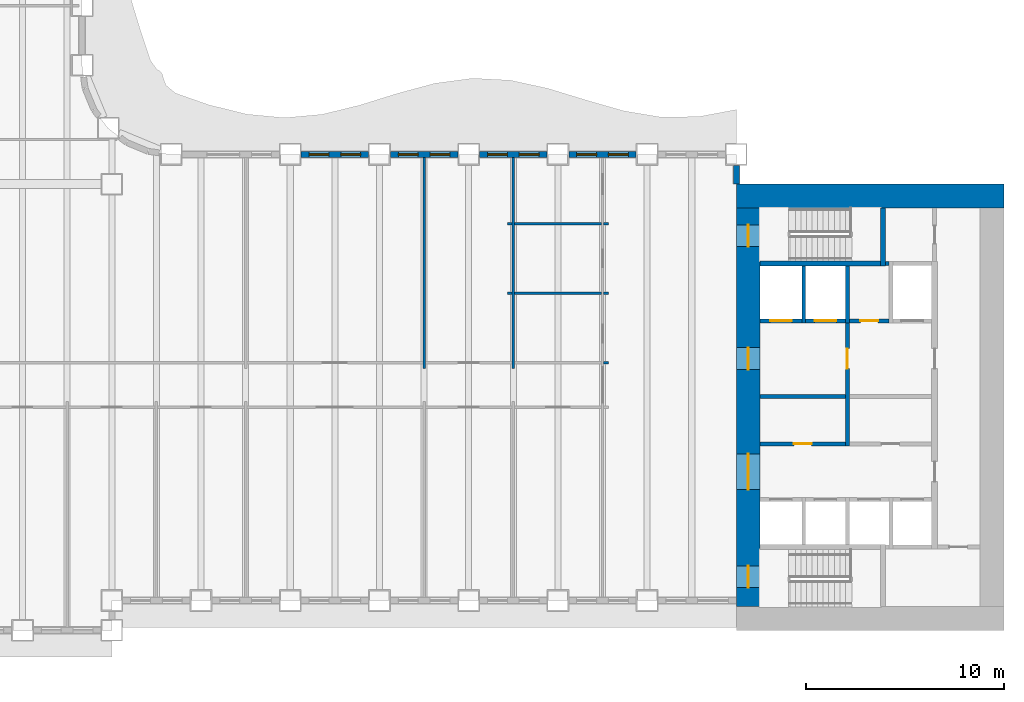
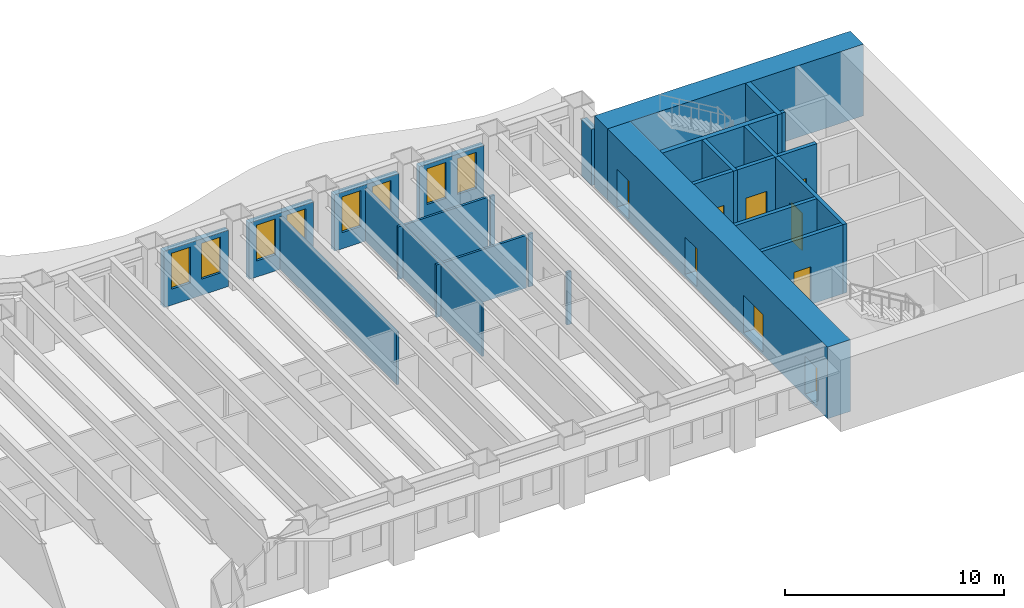
# One storey, part 6 of 15: 27 walls, 9 doors, 8 windows, 17 openings.
"""IFC4 building model written with IfcOpenShell, lengths in metres."""

from ifc_helpers import new_model, si_unit, direction, frame, frame_2d, origin, place, context, subcontext, project, spatial, rectangle, extrude, material, layer, layer_set, type_object, element, fill, save


model = new_model("IFC4")

# Units and contexts
model_context = context("Model", 3, precision=1e-05, world=origin(), true_north=direction((0.0, 1.0)))
body_context = subcontext(model_context, "Body", "Model", "MODEL_VIEW")
ifc_project = project(units=[si_unit("LENGTHUNIT", "METRE"), si_unit("AREAUNIT", "SQUARE_METRE"), si_unit("VOLUMEUNIT", "CUBIC_METRE"), si_unit("PLANEANGLEUNIT", "RADIAN"), si_unit("MASSUNIT", "GRAM", prefix="KILO")], contexts=[model_context])

# Site, building, storey
site_placement = place(None, origin())
site = spatial("IfcSite", under=ifc_project, at=site_placement, CompositionType="ELEMENT")
building_placement = place(site_placement, origin())
building = spatial("IfcBuilding", under=site, at=building_placement, Name="Sennacour Bend Tower", CompositionType="ELEMENT")
storey_placement = place(building_placement, frame((0.0, 0.0, 41.0)))
storey = spatial("IfcBuildingStorey", under=building, at=storey_placement, Name="L08", CompositionType="ELEMENT", Elevation=41.0)

# Wall
ifc_material_1 = material(Name="Concrete C80/95", Category="concrete")
ifc_layer_1 = layer(ifc_material_1, 1.199951171875, Name="Concrete C80/95", Category="concrete")
ifc_layer_set_1 = layer_set([ifc_layer_1], Name="Concrete C80/95")
wall_type_1 = type_object("IfcWallType", Name="Core wall 1200 C80/95", PredefinedType="SHEAR", material=ifc_layer_set_1)
wall_1_placement = place(storey_placement, frame((54.0, 21.89990234375, -0.14990234375), z_axis=(0.0, 0.0, 1.0), x_axis=(1.0, 0.0, 0.0)))
element("IfcWall", 1, at=wall_1_placement, inside=storey, type_object=wall_type_1, Name="Core A wall L08 N", PredefinedType="SHEAR", context=body_context, shape_type="SweptSolid", body=[
    extrude(rectangle(XDim=13.5, YDim=1.199951171875, at=frame_2d((6.75, 0.0))), origin(), (0.0, 0.0, 1.0), 4.0),
])

# Wall, openings, doors
wall_2_placement = place(storey_placement, frame((54.60009765625, 1.199951171875, -0.14990234375), z_axis=(0.0, 0.0, 1.0), x_axis=(0.0, 1.0, 0.0)))
wall_2 = element("IfcWall", 2, at=wall_2_placement, inside=storey, type_object=wall_type_1, Name="Core A wall L08 W", PredefinedType="SHEAR", context=body_context, shape_type="SweptSolid", body=[
    extrude(rectangle(XDim=20.10009765625, YDim=1.199951171875, at=frame_2d((10.050048828125, 0.0))), origin(), (0.0, 0.0, 1.0), 4.0),
])
opening_1_placement = place(wall_2_placement, frame((5.89990234375, 0.0, 0.14990234375)))
opening_1 = element("IfcOpeningElement", 3, at=opening_1_placement, cuts=wall_2, Name="Opening CD", PredefinedType="OPENING", context=body_context, shape_type="SweptSolid", body=[
    extrude(rectangle(XDim=1.800048828125, YDim=2.10009765625, at=frame_2d((0.89990234375, 1.050048828125))), frame((0.0, 0.60986328125, 0.0), z_axis=(0.0, -1.0, 0.0), x_axis=(1.0, 0.0, 0.0)), (0.0, 0.0, 1.0), 1.219970703125),
])
opening_2_placement = place(wall_2_placement, frame((11.949951171875, 0.0, 0.14990234375)))
opening_2 = element("IfcOpeningElement", 4, at=opening_2_placement, cuts=wall_2, Name="Opening FD", PredefinedType="OPENING", context=body_context, shape_type="SweptSolid", body=[
    extrude(rectangle(XDim=1.10009765625, YDim=2.10009765625, at=frame_2d((0.550048828125, 1.050048828125))), frame((0.0, 0.60986328125, 0.0), z_axis=(0.0, -1.0, 0.0), x_axis=(1.0, 0.0, 0.0)), (0.0, 0.0, 1.0), 1.219970703125),
])
opening_3_placement = place(wall_2_placement, frame((0.949951171875, 0.0, 0.14990234375)))
opening_3 = element("IfcOpeningElement", 5, at=opening_3_placement, cuts=wall_2, Name="Opening SD", PredefinedType="OPENING", context=body_context, shape_type="SweptSolid", body=[
    extrude(rectangle(XDim=1.10009765625, YDim=2.10009765625, at=frame_2d((0.550048828125, 1.050048828125))), frame((0.0, 0.60986328125, 0.0), z_axis=(0.0, -1.0, 0.0), x_axis=(1.0, 0.0, 0.0)), (0.0, 0.0, 1.0), 1.219970703125),
])
opening_4_placement = place(wall_2_placement, frame((18.14990234375, 0.0, 0.14990234375)))
opening_4 = element("IfcOpeningElement", 6, at=opening_4_placement, cuts=wall_2, Name="Opening SD", PredefinedType="OPENING", context=body_context, shape_type="SweptSolid", body=[
    extrude(rectangle(XDim=1.10009765625, YDim=2.10009765625, at=frame_2d((0.550048828125, 1.050048828125))), frame((0.0, 0.60986328125, 0.0), z_axis=(0.0, -1.0, 0.0), x_axis=(1.0, 0.0, 0.0)), (0.0, 0.0, 1.0), 1.219970703125),
])
ifc_material_2 = material(Name="Painted steel", Category="steel")
door_type_1 = type_object("IfcDoorType", Name="DR-FFL-1100", OperationType="NOTDEFINED", PredefinedType="DOOR", material=ifc_material_2)
door_1_placement = place(opening_2_placement, origin())
door_1 = element("IfcDoor", 7, at=door_1_placement, inside=storey, type_object=door_type_1, Name="Door", OperationType="SINGLE_SWING_RIGHT", OverallHeight=2.10009765625, OverallWidth=1.10009765625, PredefinedType="DOOR", context=body_context, shape_type="SweptSolid", body=[
    extrude(rectangle(XDim=1.10009765625, YDim=2.10009765625, at=frame_2d((0.550048828125, 1.050048828125))), frame((0.0, 0.02490234375, 0.0), z_axis=(0.0, -1.0, 0.0), x_axis=(1.0, 0.0, 0.0)), (0.0, 0.0, 1.0), 0.050048828125),
])
fill(opening_2, door_1)
door_type_2 = type_object("IfcDoorType", Name="DR-LOBBY-1800", OperationType="NOTDEFINED", PredefinedType="DOOR", material=ifc_material_2)
door_2_placement = place(opening_1_placement, origin())
door_2 = element("IfcDoor", 8, at=door_2_placement, inside=storey, type_object=door_type_2, Name="Door", OperationType="DOUBLE_DOOR_SINGLE_SWING", OverallHeight=2.10009765625, OverallWidth=1.800048828125, PredefinedType="DOOR", context=body_context, shape_type="SweptSolid", body=[
    extrude(rectangle(XDim=1.800048828125, YDim=2.10009765625, at=frame_2d((0.89990234375, 1.050048828125))), frame((0.0, 0.02490234375, 0.0), z_axis=(0.0, -1.0, 0.0), x_axis=(1.0, 0.0, 0.0)), (0.0, 0.0, 1.0), 0.050048828125),
])
fill(opening_1, door_2)
door_type_3 = type_object("IfcDoorType", Name="DR-STAIR-1100", OperationType="NOTDEFINED", PredefinedType="DOOR", material=ifc_material_2)
door_3_placement = place(opening_3_placement, origin())
door_3 = element("IfcDoor", 9, at=door_3_placement, inside=storey, type_object=door_type_3, Name="Door", OperationType="SINGLE_SWING_LEFT", OverallHeight=2.10009765625, OverallWidth=1.10009765625, PredefinedType="DOOR", context=body_context, shape_type="SweptSolid", body=[
    extrude(rectangle(XDim=1.10009765625, YDim=2.10009765625, at=frame_2d((0.550048828125, 1.050048828125))), frame((0.0, 0.02490234375, 0.0), z_axis=(0.0, -1.0, 0.0), x_axis=(1.0, 0.0, 0.0)), (0.0, 0.0, 1.0), 0.050048828125),
])
fill(opening_3, door_3)
door_4_placement = place(opening_4_placement, origin())
door_4 = element("IfcDoor", 10, at=door_4_placement, inside=storey, type_object=door_type_3, Name="Door", OperationType="SINGLE_SWING_RIGHT", OverallHeight=2.10009765625, OverallWidth=1.10009765625, PredefinedType="DOOR", context=body_context, shape_type="SweptSolid", body=[
    extrude(rectangle(XDim=1.10009765625, YDim=2.10009765625, at=frame_2d((0.550048828125, 1.050048828125))), frame((0.0, 0.02490234375, 0.0), z_axis=(0.0, -1.0, 0.0), x_axis=(1.0, 0.0, 0.0)), (0.0, 0.0, 1.0), 0.050048828125),
])
fill(opening_4, door_4)

# Walls
ifc_material_3 = material(Name="Plasterboard partition on steel studs", Category="steel")
ifc_layer_2 = layer(ifc_material_3, 0.1201171875, Name="Plasterboard partition on steel studs", Category="steel")
ifc_layer_set_2 = layer_set([ifc_layer_2], Name="Plasterboard partition on steel studs")
wall_type_2 = type_object("IfcWallType", Name="Partition 120", PredefinedType="PARTITIONING", material=ifc_layer_set_2)
for number, where, z_axis, x_axis, name in (
    (11, (38.25, 13.199951171875, 0.0), (0.0, 0.0, 1.0), (0.0, 1.0, 0.0), "P-L08-W029a"),
    (12, (42.75, 13.199951171875, 0.0), (0.0, 0.0, 1.0), (0.0, 1.0, 0.0), "P-L08-W031a"),
):
    element("IfcWall", number, at=place(storey_placement, frame(where, z_axis=z_axis, x_axis=x_axis)), inside=storey, type_object=wall_type_2, Name=name, PredefinedType="PARTITIONING", context=body_context, shape_type="SweptSolid", body=[
        extrude(rectangle(XDim=10.650146484375, YDim=0.1201171875, at=frame_2d((5.3251953125, 0.0))), origin(), (0.0, 0.0, 1.0), 2.93798828125),
    ])
for number, where, z_axis, x_axis, name in (
    (13, (47.31005859375, 13.5, 0.0), (0.0, 0.0, 1.0), (1.0, 0.0, 0.0), "P-L08-W058ag"),
    (14, (42.449951171875, 17.0, 0.0), (0.0, 0.0, 1.0), (1.0, 0.0, 0.0), "P-L08-W062aa"),
):
    element("IfcWall", number, at=place(storey_placement, frame(where, z_axis=z_axis, x_axis=x_axis)), inside=storey, type_object=wall_type_2, Name=name, PredefinedType="PARTITIONING", context=body_context, shape_type="SweptSolid", body=[
        extrude(rectangle(XDim=0.239990234375, YDim=0.1201171875, at=frame_2d((0.1201171875, 0.0))), origin(), (0.0, 0.0, 1.0), 2.93798828125),
    ])
wall_3_placement = place(storey_placement, frame((42.81005859375, 17.0, 0.0), z_axis=(0.0, 0.0, 1.0), x_axis=(1.0, 0.0, 0.0)))
element("IfcWall", 15, at=wall_3_placement, inside=storey, type_object=wall_type_2, Name="P-L08-W062ab", PredefinedType="PARTITIONING", context=body_context, shape_type="SweptSolid", body=[
    extrude(rectangle(XDim=4.3798828125, YDim=0.1201171875, at=frame_2d((2.18994140625, 0.0))), origin(), (0.0, 0.0, 1.0), 2.93798828125),
])
for number, where, z_axis, x_axis, name in (
    (16, (47.31005859375, 17.0, 0.0), (0.0, 0.0, 1.0), (1.0, 0.0, 0.0), "P-L08-W062ac"),
    (17, (42.449951171875, 20.5, 0.0), (0.0, 0.0, 1.0), (1.0, 0.0, 0.0), "P-L08-W067aa"),
):
    element("IfcWall", number, at=place(storey_placement, frame(where, z_axis=z_axis, x_axis=x_axis)), inside=storey, type_object=wall_type_2, Name=name, PredefinedType="PARTITIONING", context=body_context, shape_type="SweptSolid", body=[
        extrude(rectangle(XDim=0.239990234375, YDim=0.1201171875, at=frame_2d((0.1201171875, 0.0))), origin(), (0.0, 0.0, 1.0), 2.93798828125),
    ])
wall_4_placement = place(storey_placement, frame((42.81005859375, 20.5, 0.0), z_axis=(0.0, 0.0, 1.0), x_axis=(1.0, 0.0, 0.0)))
element("IfcWall", 18, at=wall_4_placement, inside=storey, type_object=wall_type_2, Name="P-L08-W067ab", PredefinedType="PARTITIONING", context=body_context, shape_type="SweptSolid", body=[
    extrude(rectangle(XDim=4.3798828125, YDim=0.1201171875, at=frame_2d((2.18994140625, 0.0))), origin(), (0.0, 0.0, 1.0), 2.93798828125),
])
wall_5_placement = place(storey_placement, frame((47.31005859375, 20.5, 0.0), z_axis=(0.0, 0.0, 1.0), x_axis=(1.0, 0.0, 0.0)))
element("IfcWall", 19, at=wall_5_placement, inside=storey, type_object=wall_type_2, Name="P-L08-W067ac", PredefinedType="PARTITIONING", context=body_context, shape_type="SweptSolid", body=[
    extrude(rectangle(XDim=0.239990234375, YDim=0.1201171875, at=frame_2d((0.1201171875, 0.0))), origin(), (0.0, 0.0, 1.0), 2.93798828125),
])

# Wall, opening, door
ifc_material_4 = material(Name="Fire-rated plasterboard partition on steel studs", Category="steel")
ifc_layer_3 = layer(ifc_material_4, 0.199951171875, Name="Fire-rated plasterboard partition on steel studs", Category="steel")
ifc_layer_set_3 = layer_set([ifc_layer_3], Name="Fire-rated plasterboard partition on steel studs")
wall_type_3 = type_object("IfcWallType", Name="Rated partition 200", PredefinedType="PARTITIONING", material=ifc_layer_set_3)
wall_6_placement = place(storey_placement, frame((55.199951171875, 9.39990234375, 0.0), z_axis=(0.0, 0.0, 1.0), x_axis=(1.0, 0.0, 0.0)))
wall_6 = element("IfcWall", 20, at=wall_6_placement, inside=storey, type_object=wall_type_3, Name="P-L08-W055a", PredefinedType="PARTITIONING", context=body_context, shape_type="SweptSolid", body=[
    extrude(rectangle(XDim=4.300048828125, YDim=0.199951171875, at=frame_2d((2.14990234375, 0.0))), origin(), (0.0, 0.0, 1.0), 3.85009765625),
])
opening_5_placement = place(wall_6_placement, frame((1.699951171875, 0.0, 0.0)))
opening_5 = element("IfcOpeningElement", 21, at=opening_5_placement, cuts=wall_6, Name="Opening SV", PredefinedType="OPENING", context=body_context, shape_type="SweptSolid", body=[
    extrude(rectangle(XDim=0.89990234375, YDim=2.10009765625, at=frame_2d((0.449951171875, 1.050048828125))), frame((0.0, 0.10986328125, 0.0), z_axis=(0.0, -1.0, 0.0), x_axis=(1.0, 0.0, 0.0)), (0.0, 0.0, 1.0), 0.219970703125),
])
door_type_4 = type_object("IfcDoorType", Name="DR-SERVICE-900", OperationType="NOTDEFINED", PredefinedType="DOOR", material=ifc_material_2)
door_5_placement = place(opening_5_placement, origin())
door_5 = element("IfcDoor", 22, at=door_5_placement, inside=storey, type_object=door_type_4, Name="Door", OperationType="SINGLE_SWING_LEFT", OverallHeight=2.10009765625, OverallWidth=0.89990234375, PredefinedType="DOOR", context=body_context, shape_type="SweptSolid", body=[
    extrude(rectangle(XDim=0.89990234375, YDim=2.10009765625, at=frame_2d((0.449951171875, 1.050048828125))), frame((0.0, 0.02490234375, 0.0), z_axis=(0.0, -1.0, 0.0), x_axis=(1.0, 0.0, 0.0)), (0.0, 0.0, 1.0), 0.050048828125),
])
fill(opening_5, door_5)

# Wall
wall_7_placement = place(storey_placement, frame((55.199951171875, 11.800048828125, 0.0), z_axis=(0.0, 0.0, 1.0), x_axis=(1.0, 0.0, 0.0)))
element("IfcWall", 23, at=wall_7_placement, inside=storey, type_object=wall_type_3, Name="P-L08-W057a", PredefinedType="PARTITIONING", context=body_context, shape_type="SweptSolid", body=[
    extrude(rectangle(XDim=4.300048828125, YDim=0.199951171875, at=frame_2d((2.14990234375, 0.0))), origin(), (0.0, 0.0, 1.0), 3.85009765625),
])

# Wall, opening, door
wall_8_placement = place(storey_placement, frame((59.699951171875, 15.60009765625, 0.0), z_axis=(0.0, 0.0, 1.0), x_axis=(1.0, 0.0, 0.0)))
wall_8 = element("IfcWall", 24, at=wall_8_placement, inside=storey, type_object=wall_type_3, Name="P-L08-W060", PredefinedType="PARTITIONING", context=body_context, shape_type="SweptSolid", body=[
    extrude(rectangle(XDim=2.0, YDim=0.199951171875, at=frame_2d((1.0, 0.0))), origin(), (0.0, 0.0, 1.0), 3.85009765625),
])
opening_6_placement = place(wall_8_placement, frame((0.550048828125, 0.0, 0.0)))
opening_6 = element("IfcOpeningElement", 25, at=opening_6_placement, cuts=wall_8, Name="Opening SV", PredefinedType="OPENING", context=body_context, shape_type="SweptSolid", body=[
    extrude(rectangle(XDim=0.89990234375, YDim=2.10009765625, at=frame_2d((0.449951171875, 1.050048828125))), frame((0.0, 0.10986328125, 0.0), z_axis=(0.0, -1.0, 0.0), x_axis=(1.0, 0.0, 0.0)), (0.0, 0.0, 1.0), 0.219970703125),
])
door_6_placement = place(opening_6_placement, origin())
door_6 = element("IfcDoor", 26, at=door_6_placement, inside=storey, type_object=door_type_4, Name="Door", OperationType="SINGLE_SWING_LEFT", OverallHeight=2.10009765625, OverallWidth=0.89990234375, PredefinedType="DOOR", context=body_context, shape_type="SweptSolid", body=[
    extrude(rectangle(XDim=0.89990234375, YDim=2.10009765625, at=frame_2d((0.449951171875, 1.050048828125))), frame((0.0, 0.02490234375, 0.0), z_axis=(0.0, -1.0, 0.0), x_axis=(1.0, 0.0, 0.0)), (0.0, 0.0, 1.0), 0.050048828125),
])
fill(opening_6, door_6)

# Wall
wall_9_placement = place(storey_placement, frame((61.52490234375, 18.5, 0.0), z_axis=(0.0, 0.0, 1.0), x_axis=(1.0, 0.0, 0.0)))
element("IfcWall", 27, at=wall_9_placement, inside=storey, type_object=wall_type_3, Name="P-L08-W064", PredefinedType="PARTITIONING", context=body_context, shape_type="SweptSolid", body=[
    extrude(rectangle(XDim=0.175048828125, YDim=0.199951171875, at=frame_2d((0.08740234375, 0.0))), origin(), (0.0, 0.0, 1.0), 3.85009765625),
])

# Wall, opening, door
ifc_layer_4 = layer(ifc_material_4, 0.199951171875, Name="Fire-rated plasterboard partition on steel studs", Category="steel")
ifc_layer_set_4 = layer_set([ifc_layer_4], Name="Fire-rated plasterboard partition on steel studs")
wall_type_4 = type_object("IfcWallType", Name="Rated partition 200 EI 90", PredefinedType="PARTITIONING", material=ifc_layer_set_4)
wall_10_placement = place(storey_placement, frame((59.60009765625, 9.300048828125, 0.0), z_axis=(0.0, 0.0, 1.0), x_axis=(0.0, 1.0, 0.0)))
wall_10 = element("IfcWall", 28, at=wall_10_placement, inside=storey, type_object=wall_type_4, Name="P-L08-W037", PredefinedType="PARTITIONING", context=body_context, shape_type="SweptSolid", body=[
    extrude(rectangle(XDim=6.199951171875, YDim=0.199951171875, at=frame_2d((3.10009765625, 0.0))), origin(), (0.0, 0.0, 1.0), 3.85009765625),
])
opening_7_placement = place(wall_10_placement, frame((3.89990234375, 0.0, 0.0)))
opening_7 = element("IfcOpeningElement", 29, at=opening_7_placement, cuts=wall_10, Name="Opening FD2", PredefinedType="OPENING", context=body_context, shape_type="SweptSolid", body=[
    extrude(rectangle(XDim=1.0, YDim=2.10009765625, at=frame_2d((0.5, 1.050048828125))), frame((0.0, 0.10986328125, 0.0), z_axis=(0.0, -1.0, 0.0), x_axis=(1.0, 0.0, 0.0)), (0.0, 0.0, 1.0), 0.219970703125),
])
door_type_5 = type_object("IfcDoorType", Name="DR-FFL-1000", OperationType="NOTDEFINED", PredefinedType="DOOR", material=ifc_material_2)
door_7_placement = place(opening_7_placement, origin())
door_7 = element("IfcDoor", 30, at=door_7_placement, inside=storey, type_object=door_type_5, Name="Door", OperationType="SINGLE_SWING_RIGHT", OverallHeight=2.10009765625, OverallWidth=1.0, PredefinedType="DOOR", context=body_context, shape_type="SweptSolid", body=[
    extrude(rectangle(XDim=1.0, YDim=2.10009765625, at=frame_2d((0.5, 1.050048828125))), frame((0.0, 0.02490234375, 0.0), z_axis=(0.0, -1.0, 0.0), x_axis=(1.0, 0.0, 0.0)), (0.0, 0.0, 1.0), 0.050048828125),
])
fill(opening_7, door_7)

# Wall
ifc_material_5 = material(Name="Warm limestone cladding", Category="masonry")
ifc_layer_5 = layer(ifc_material_5, 0.050048828125, Name="Warm limestone cladding", Category="masonry")
ifc_material_6 = material(Name="Precast concrete C40/50", Category="concrete")
ifc_layer_6 = layer(ifc_material_6, 0.25, Name="Precast concrete C40/50", Category="concrete")
ifc_layer_set_5 = layer_set([ifc_layer_5, ifc_layer_6], Name="Precast concrete C40/50 with limestone cladding")
wall_type_5 = type_object("IfcWallType", Name="STONE-CLAD PRECAST SPANDREL 300", PredefinedType="STANDARD", material=ifc_layer_set_5)
wall_11_placement = place(storey_placement, frame((54.0, 22.5, 0.0), z_axis=(0.0, 0.0, 1.0), x_axis=(0.0, 1.0, 0.0)))
element("IfcWall", 31, at=wall_11_placement, inside=storey, type_object=wall_type_5, Name="Stone spandrel and pier wall L08 07.00", PredefinedType="STANDARD", context=body_context, shape_type="SweptSolid", body=[
    extrude(rectangle(XDim=0.949951171875, YDim=0.300048828125, at=frame_2d((0.47509765625, 0.0))), origin(), (0.0, 0.0, 1.0), 3.14404296875),
])

# Wall, openings, windows
wall_12_placement = place(storey_placement, frame((48.949951171875, 24.0, 0.0), z_axis=(0.0, 0.0, 1.0), x_axis=(-1.0, 0.0, 0.0)))
wall_12 = element("IfcWall", 32, at=wall_12_placement, inside=storey, type_object=wall_type_5, Name="Stone spandrel and pier wall L08 08.01", PredefinedType="STANDARD", context=body_context, shape_type="SweptSolid", body=[
    extrude(rectangle(XDim=3.39990234375, YDim=0.300048828125, at=frame_2d((1.699951171875, 0.0))), origin(), (0.0, 0.0, 1.0), 3.14404296875),
])
opening_8_placement = place(wall_12_placement, frame((0.39990234375, 0.0, 0.89990234375)))
opening_8 = element("IfcOpeningElement", 33, at=opening_8_placement, cuts=wall_12, Name="Opening W8", PredefinedType="OPENING", context=body_context, shape_type="SweptSolid", body=[
    extrude(rectangle(XDim=1.0, YDim=2.0, at=frame_2d((0.5, 1.0))), frame((0.0, 0.16015625, 0.0), z_axis=(0.0, -1.0, 0.0), x_axis=(1.0, 0.0, 0.0)), (0.0, 0.0, 1.0), 0.320068359375),
])
opening_9_placement = place(wall_12_placement, frame((2.0, 0.0, 0.89990234375)))
opening_9 = element("IfcOpeningElement", 34, at=opening_9_placement, cuts=wall_12, Name="Opening W8", PredefinedType="OPENING", context=body_context, shape_type="SweptSolid", body=[
    extrude(rectangle(XDim=1.0, YDim=2.0, at=frame_2d((0.5, 1.0))), frame((0.0, 0.16015625, 0.0), z_axis=(0.0, -1.0, 0.0), x_axis=(1.0, 0.0, 0.0)), (0.0, 0.0, 1.0), 0.320068359375),
])
ifc_material_7 = material(Name="Clear low-emissivity glass", Category="glass")
window_type = type_object("IfcWindowType", Name="WIN-RIBBON-1000x2000", PartitioningType="SINGLE_PANEL", PredefinedType="WINDOW", material=ifc_material_7)
window_1_placement = place(opening_8_placement, origin())
window_1 = element("IfcWindow", 35, at=window_1_placement, inside=storey, type_object=window_type, Name="Ribbon window L08 08.01.0", OverallHeight=2.0, OverallWidth=1.0, PartitioningType="SINGLE_PANEL", PredefinedType="WINDOW", context=body_context, shape_type="SweptSolid", body=[
    extrude(rectangle(XDim=1.0, YDim=2.0, at=frame_2d((0.5, 1.0))), frame((0.0, 0.030029296875, 0.0), z_axis=(0.0, -1.0, 0.0), x_axis=(1.0, 0.0, 0.0)), (0.0, 0.0, 1.0), 0.06005859375),
])
fill(opening_8, window_1)
window_2_placement = place(opening_9_placement, origin())
window_2 = element("IfcWindow", 36, at=window_2_placement, inside=storey, type_object=window_type, Name="Ribbon window L08 08.01.1", OverallHeight=2.0, OverallWidth=1.0, PartitioningType="SINGLE_PANEL", PredefinedType="WINDOW", context=body_context, shape_type="SweptSolid", body=[
    extrude(rectangle(XDim=1.0, YDim=2.0, at=frame_2d((0.5, 1.0))), frame((0.0, 0.030029296875, 0.0), z_axis=(0.0, -1.0, 0.0), x_axis=(1.0, 0.0, 0.0)), (0.0, 0.0, 1.0), 0.06005859375),
])
fill(opening_9, window_2)

wall_13_placement = place(storey_placement, frame((44.449951171875, 24.0, 0.0), z_axis=(0.0, 0.0, 1.0), x_axis=(-1.0, 0.0, 0.0)))
wall_13 = element("IfcWall", 37, at=wall_13_placement, inside=storey, type_object=wall_type_5, Name="Stone spandrel and pier wall L08 08.02", PredefinedType="STANDARD", context=body_context, shape_type="SweptSolid", body=[
    extrude(rectangle(XDim=3.39990234375, YDim=0.300048828125, at=frame_2d((1.699951171875, 0.0))), origin(), (0.0, 0.0, 1.0), 3.14404296875),
])
opening_10_placement = place(wall_13_placement, frame((0.39990234375, 0.0, 0.89990234375)))
opening_10 = element("IfcOpeningElement", 38, at=opening_10_placement, cuts=wall_13, Name="Opening W8", PredefinedType="OPENING", context=body_context, shape_type="SweptSolid", body=[
    extrude(rectangle(XDim=1.0, YDim=2.0, at=frame_2d((0.5, 1.0))), frame((0.0, 0.16015625, 0.0), z_axis=(0.0, -1.0, 0.0), x_axis=(1.0, 0.0, 0.0)), (0.0, 0.0, 1.0), 0.320068359375),
])
opening_11_placement = place(wall_13_placement, frame((2.0, 0.0, 0.89990234375)))
opening_11 = element("IfcOpeningElement", 39, at=opening_11_placement, cuts=wall_13, Name="Opening W8", PredefinedType="OPENING", context=body_context, shape_type="SweptSolid", body=[
    extrude(rectangle(XDim=1.0, YDim=2.0, at=frame_2d((0.5, 1.0))), frame((0.0, 0.16015625, 0.0), z_axis=(0.0, -1.0, 0.0), x_axis=(1.0, 0.0, 0.0)), (0.0, 0.0, 1.0), 0.320068359375),
])
window_3_placement = place(opening_10_placement, origin())
window_3 = element("IfcWindow", 40, at=window_3_placement, inside=storey, type_object=window_type, Name="Ribbon window L08 08.02.0", OverallHeight=2.0, OverallWidth=1.0, PartitioningType="SINGLE_PANEL", PredefinedType="WINDOW", context=body_context, shape_type="SweptSolid", body=[
    extrude(rectangle(XDim=1.0, YDim=2.0, at=frame_2d((0.5, 1.0))), frame((0.0, 0.030029296875, 0.0), z_axis=(0.0, -1.0, 0.0), x_axis=(1.0, 0.0, 0.0)), (0.0, 0.0, 1.0), 0.06005859375),
])
fill(opening_10, window_3)
window_4_placement = place(opening_11_placement, origin())
window_4 = element("IfcWindow", 41, at=window_4_placement, inside=storey, type_object=window_type, Name="Ribbon window L08 08.02.1", OverallHeight=2.0, OverallWidth=1.0, PartitioningType="SINGLE_PANEL", PredefinedType="WINDOW", context=body_context, shape_type="SweptSolid", body=[
    extrude(rectangle(XDim=1.0, YDim=2.0, at=frame_2d((0.5, 1.0))), frame((0.0, 0.030029296875, 0.0), z_axis=(0.0, -1.0, 0.0), x_axis=(1.0, 0.0, 0.0)), (0.0, 0.0, 1.0), 0.06005859375),
])
fill(opening_11, window_4)

wall_14_placement = place(storey_placement, frame((39.949951171875, 24.0, 0.0), z_axis=(0.0, 0.0, 1.0), x_axis=(-1.0, 0.0, 0.0)))
wall_14 = element("IfcWall", 42, at=wall_14_placement, inside=storey, type_object=wall_type_5, Name="Stone spandrel and pier wall L08 08.03", PredefinedType="STANDARD", context=body_context, shape_type="SweptSolid", body=[
    extrude(rectangle(XDim=3.39990234375, YDim=0.300048828125, at=frame_2d((1.699951171875, 0.0))), origin(), (0.0, 0.0, 1.0), 3.14404296875),
])
opening_12_placement = place(wall_14_placement, frame((0.39990234375, 0.0, 0.89990234375)))
opening_12 = element("IfcOpeningElement", 43, at=opening_12_placement, cuts=wall_14, Name="Opening W8", PredefinedType="OPENING", context=body_context, shape_type="SweptSolid", body=[
    extrude(rectangle(XDim=1.0, YDim=2.0, at=frame_2d((0.5, 1.0))), frame((0.0, 0.16015625, 0.0), z_axis=(0.0, -1.0, 0.0), x_axis=(1.0, 0.0, 0.0)), (0.0, 0.0, 1.0), 0.320068359375),
])
opening_13_placement = place(wall_14_placement, frame((2.0, 0.0, 0.89990234375)))
opening_13 = element("IfcOpeningElement", 44, at=opening_13_placement, cuts=wall_14, Name="Opening W8", PredefinedType="OPENING", context=body_context, shape_type="SweptSolid", body=[
    extrude(rectangle(XDim=1.0, YDim=2.0, at=frame_2d((0.5, 1.0))), frame((0.0, 0.16015625, 0.0), z_axis=(0.0, -1.0, 0.0), x_axis=(1.0, 0.0, 0.0)), (0.0, 0.0, 1.0), 0.320068359375),
])
window_5_placement = place(opening_12_placement, origin())
window_5 = element("IfcWindow", 45, at=window_5_placement, inside=storey, type_object=window_type, Name="Ribbon window L08 08.03.0", OverallHeight=2.0, OverallWidth=1.0, PartitioningType="SINGLE_PANEL", PredefinedType="WINDOW", context=body_context, shape_type="SweptSolid", body=[
    extrude(rectangle(XDim=1.0, YDim=2.0, at=frame_2d((0.5, 1.0))), frame((0.0, 0.030029296875, 0.0), z_axis=(0.0, -1.0, 0.0), x_axis=(1.0, 0.0, 0.0)), (0.0, 0.0, 1.0), 0.06005859375),
])
fill(opening_12, window_5)
window_6_placement = place(opening_13_placement, origin())
window_6 = element("IfcWindow", 46, at=window_6_placement, inside=storey, type_object=window_type, Name="Ribbon window L08 08.03.1", OverallHeight=2.0, OverallWidth=1.0, PartitioningType="SINGLE_PANEL", PredefinedType="WINDOW", context=body_context, shape_type="SweptSolid", body=[
    extrude(rectangle(XDim=1.0, YDim=2.0, at=frame_2d((0.5, 1.0))), frame((0.0, 0.030029296875, 0.0), z_axis=(0.0, -1.0, 0.0), x_axis=(1.0, 0.0, 0.0)), (0.0, 0.0, 1.0), 0.06005859375),
])
fill(opening_13, window_6)

wall_15_placement = place(storey_placement, frame((35.449951171875, 24.0, 0.0), z_axis=(0.0, 0.0, 1.0), x_axis=(-1.0, 0.0, 0.0)))
wall_15 = element("IfcWall", 47, at=wall_15_placement, inside=storey, type_object=wall_type_5, Name="Stone spandrel and pier wall L08 08.04", PredefinedType="STANDARD", context=body_context, shape_type="SweptSolid", body=[
    extrude(rectangle(XDim=3.39990234375, YDim=0.300048828125, at=frame_2d((1.699951171875, 0.0))), origin(), (0.0, 0.0, 1.0), 3.14404296875),
])
opening_14_placement = place(wall_15_placement, frame((0.39990234375, 0.0, 0.89990234375)))
opening_14 = element("IfcOpeningElement", 48, at=opening_14_placement, cuts=wall_15, Name="Opening W8", PredefinedType="OPENING", context=body_context, shape_type="SweptSolid", body=[
    extrude(rectangle(XDim=1.0, YDim=2.0, at=frame_2d((0.5, 1.0))), frame((0.0, 0.16015625, 0.0), z_axis=(0.0, -1.0, 0.0), x_axis=(1.0, 0.0, 0.0)), (0.0, 0.0, 1.0), 0.320068359375),
])
opening_15_placement = place(wall_15_placement, frame((2.0, 0.0, 0.89990234375)))
opening_15 = element("IfcOpeningElement", 49, at=opening_15_placement, cuts=wall_15, Name="Opening W8", PredefinedType="OPENING", context=body_context, shape_type="SweptSolid", body=[
    extrude(rectangle(XDim=1.0, YDim=2.0, at=frame_2d((0.5, 1.0))), frame((0.0, 0.16015625, 0.0), z_axis=(0.0, -1.0, 0.0), x_axis=(1.0, 0.0, 0.0)), (0.0, 0.0, 1.0), 0.320068359375),
])
window_7_placement = place(opening_14_placement, origin())
window_7 = element("IfcWindow", 50, at=window_7_placement, inside=storey, type_object=window_type, Name="Ribbon window L08 08.04.0", OverallHeight=2.0, OverallWidth=1.0, PartitioningType="SINGLE_PANEL", PredefinedType="WINDOW", context=body_context, shape_type="SweptSolid", body=[
    extrude(rectangle(XDim=1.0, YDim=2.0, at=frame_2d((0.5, 1.0))), frame((0.0, 0.030029296875, 0.0), z_axis=(0.0, -1.0, 0.0), x_axis=(1.0, 0.0, 0.0)), (0.0, 0.0, 1.0), 0.06005859375),
])
fill(opening_14, window_7)
window_8_placement = place(opening_15_placement, origin())
window_8 = element("IfcWindow", 51, at=window_8_placement, inside=storey, type_object=window_type, Name="Ribbon window L08 08.04.1", OverallHeight=2.0, OverallWidth=1.0, PartitioningType="SINGLE_PANEL", PredefinedType="WINDOW", context=body_context, shape_type="SweptSolid", body=[
    extrude(rectangle(XDim=1.0, YDim=2.0, at=frame_2d((0.5, 1.0))), frame((0.0, 0.030029296875, 0.0), z_axis=(0.0, -1.0, 0.0), x_axis=(1.0, 0.0, 0.0)), (0.0, 0.0, 1.0), 0.06005859375),
])
fill(opening_15, window_8)

# Walls
ifc_material_8 = material(Name="Concrete C50/60", Category="concrete")
ifc_layer_7 = layer(ifc_material_8, 0.199951171875, Name="Concrete C50/60", Category="concrete")
ifc_layer_set_6 = layer_set([ifc_layer_7], Name="Concrete C50/60")
wall_type_6 = type_object("IfcWallType", Name="Shaft wall 200", PredefinedType="SOLIDWALL", material=ifc_layer_set_6)
for number, where, z_axis, x_axis, name in (
    (52, (57.39990234375, 15.5, 0.0), (0.0, 0.0, 1.0), (0.0, 1.0, 0.0), "P-L08-W035"),
    (53, (59.60009765625, 15.5, 0.0), (0.0, 0.0, 1.0), (0.0, 1.0, 0.0), "P-L08-W038"),
):
    element("IfcWall", number, at=place(storey_placement, frame(where, z_axis=z_axis, x_axis=x_axis)), inside=storey, type_object=wall_type_6, Name=name, PredefinedType="SOLIDWALL", context=body_context, shape_type="SweptSolid", body=[
        extrude(rectangle(XDim=2.875, YDim=0.199951171875, at=frame_2d((1.4375, 0.0))), origin(), (0.0, 0.0, 1.0), 3.85009765625),
    ])

# Wall, opening, door
wall_16_placement = place(storey_placement, frame((55.199951171875, 15.60009765625, 0.0), z_axis=(0.0, 0.0, 1.0), x_axis=(1.0, 0.0, 0.0)))
wall_16 = element("IfcWall", 54, at=wall_16_placement, inside=storey, type_object=wall_type_6, Name="P-L08-W059a", PredefinedType="SOLIDWALL", context=body_context, shape_type="SweptSolid", body=[
    extrude(rectangle(XDim=2.10009765625, YDim=0.199951171875, at=frame_2d((1.050048828125, 0.0))), origin(), (0.0, 0.0, 1.0), 3.85009765625),
])
opening_16_placement = place(wall_16_placement, frame((0.5, 0.0, 0.011962890625)))
opening_16 = element("IfcOpeningElement", 55, at=opening_16_placement, cuts=wall_16, Name="Opening FLD", PredefinedType="OPENING", context=body_context, shape_type="SweptSolid", body=[
    extrude(rectangle(XDim=1.10009765625, YDim=2.10009765625, at=frame_2d((0.550048828125, 1.050048828125))), frame((0.0, 0.10986328125, 0.0), z_axis=(0.0, -1.0, 0.0), x_axis=(1.0, 0.0, 0.0)), (0.0, 0.0, 1.0), 0.219970703125),
])
ifc_material_9 = material(Name="Stainless steel", Category="steel")
door_type_6 = type_object("IfcDoorType", Name="DR-FF-LANDING-1100", OperationType="NOTDEFINED", PredefinedType="DOOR", material=ifc_material_9)
door_8_placement = place(opening_16_placement, origin())
door_8 = element("IfcDoor", 56, at=door_8_placement, inside=storey, type_object=door_type_6, Name="Fire service lift landing door FA1", OperationType="SLIDING_TO_LEFT", OverallHeight=2.10009765625, OverallWidth=1.10009765625, PredefinedType="DOOR", context=body_context, shape_type="SweptSolid", body=[
    extrude(rectangle(XDim=1.10009765625, YDim=2.10009765625, at=frame_2d((0.550048828125, 1.050048828125))), frame((0.0, 0.02490234375, 0.0), z_axis=(0.0, -1.0, 0.0), x_axis=(1.0, 0.0, 0.0)), (0.0, 0.0, 1.0), 0.050048828125),
])
fill(opening_16, door_8)

wall_17_placement = place(storey_placement, frame((57.5, 15.60009765625, 0.0), z_axis=(0.0, 0.0, 1.0), x_axis=(1.0, 0.0, 0.0)))
wall_17 = element("IfcWall", 57, at=wall_17_placement, inside=storey, type_object=wall_type_6, Name="P-L08-W059b", PredefinedType="SOLIDWALL", context=body_context, shape_type="SweptSolid", body=[
    extrude(rectangle(XDim=2.0, YDim=0.199951171875, at=frame_2d((1.0, 0.0))), origin(), (0.0, 0.0, 1.0), 3.85009765625),
])
opening_17_placement = place(wall_17_placement, frame((0.449951171875, 0.0, 0.011962890625)))
opening_17 = element("IfcOpeningElement", 58, at=opening_17_placement, cuts=wall_17, Name="Opening FLD", PredefinedType="OPENING", context=body_context, shape_type="SweptSolid", body=[
    extrude(rectangle(XDim=1.10009765625, YDim=2.10009765625, at=frame_2d((0.550048828125, 1.050048828125))), frame((0.0, 0.10986328125, 0.0), z_axis=(0.0, -1.0, 0.0), x_axis=(1.0, 0.0, 0.0)), (0.0, 0.0, 1.0), 0.219970703125),
])
door_9_placement = place(opening_17_placement, origin())
door_9 = element("IfcDoor", 59, at=door_9_placement, inside=storey, type_object=door_type_6, Name="Fire service lift landing door FA2", OperationType="SLIDING_TO_RIGHT", OverallHeight=2.10009765625, OverallWidth=1.10009765625, PredefinedType="DOOR", context=body_context, shape_type="SweptSolid", body=[
    extrude(rectangle(XDim=1.10009765625, YDim=2.10009765625, at=frame_2d((0.550048828125, 1.050048828125))), frame((0.0, 0.02490234375, 0.0), z_axis=(0.0, -1.0, 0.0), x_axis=(1.0, 0.0, 0.0)), (0.0, 0.0, 1.0), 0.050048828125),
])
fill(opening_17, door_9)

# Walls
ifc_material_10 = material(Name="Concrete C60/75", Category="concrete")
ifc_layer_8 = layer(ifc_material_10, 0.25, Name="Concrete C60/75", Category="concrete")
ifc_layer_set_7 = layer_set([ifc_layer_8], Name="Concrete C60/75")
wall_type_7 = type_object("IfcWallType", Name="Stair wall 250", PredefinedType="SHEAR", material=ifc_layer_set_7)
wall_18_placement = place(storey_placement, frame((61.39990234375, 18.375, 0.0), z_axis=(0.0, 0.0, 1.0), x_axis=(0.0, 1.0, 0.0)))
element("IfcWall", 60, at=wall_18_placement, inside=storey, type_object=wall_type_7, Name="P-L08-W040", PredefinedType="SHEAR", context=body_context, shape_type="SweptSolid", body=[
    extrude(rectangle(XDim=2.925048828125, YDim=0.25, at=frame_2d((1.46240234375, 0.0))), origin(), (0.0, 0.0, 1.0), 3.85009765625),
])
wall_19_placement = place(storey_placement, frame((55.199951171875, 18.5, 0.0), z_axis=(0.0, 0.0, 1.0), x_axis=(1.0, 0.0, 0.0)))
element("IfcWall", 61, at=wall_19_placement, inside=storey, type_object=wall_type_7, Name="P-L08-W063", PredefinedType="SHEAR", context=body_context, shape_type="SweptSolid", body=[
    extrude(rectangle(XDim=6.074951171875, YDim=0.25, at=frame_2d((3.03759765625, 0.0))), origin(), (0.0, 0.0, 1.0), 3.85009765625),
])

save(model, "model.ifc")
